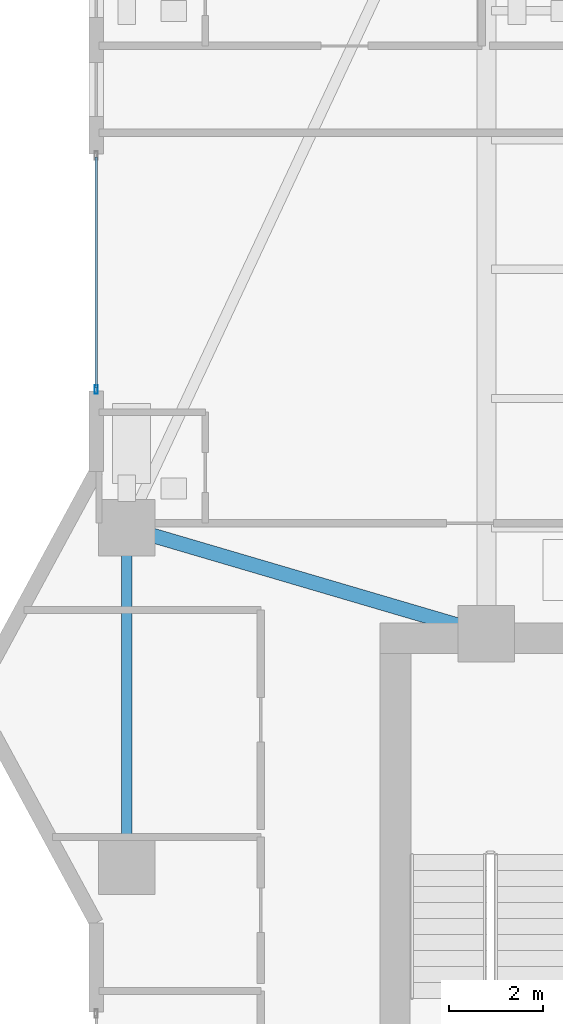
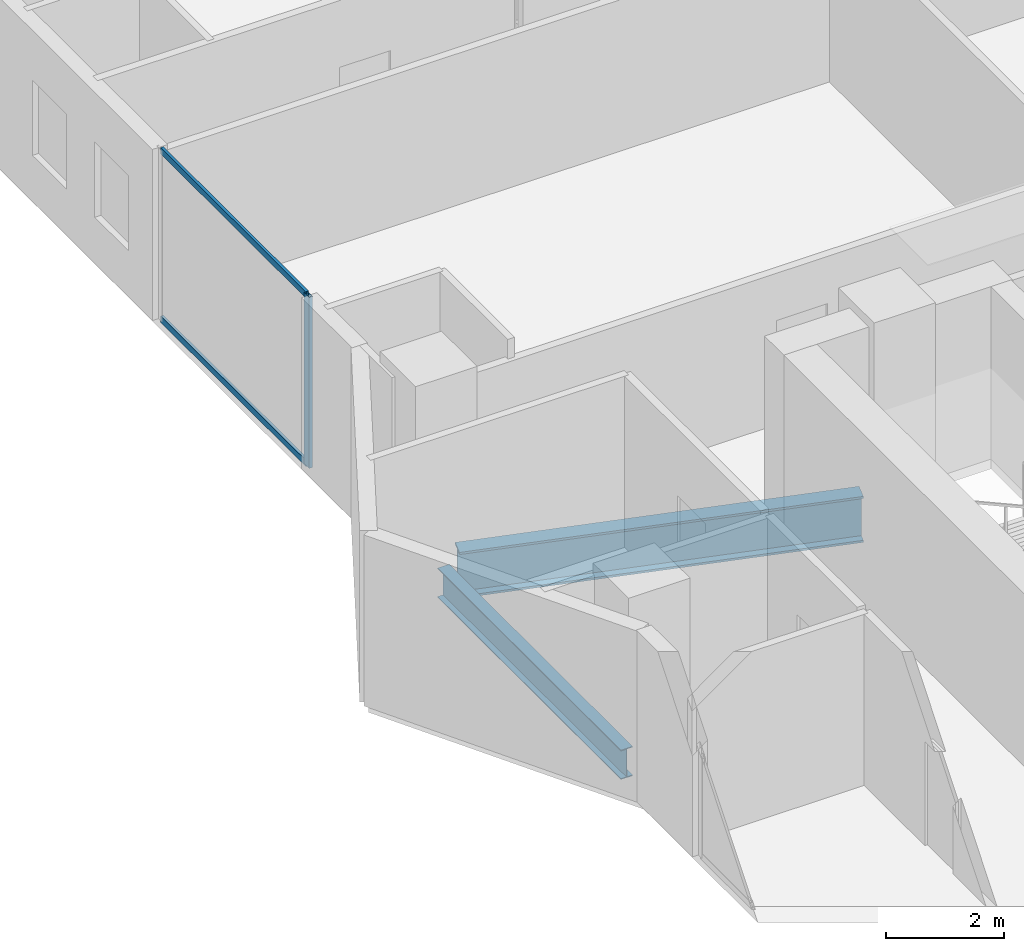
# One storey, part 7 of 32: 3 members, 2 beams, 1 element without a shape of its own.
"""IFC4 building model written with IfcOpenShell, lengths in metres."""

from ifc_helpers import new_model, si_unit, direction, frame, origin, origin_2d, place, context, subcontext, project, spatial, hollow_rectangle, i_section, extrude, material, layer, layer_set, material_profile, profile_set, type_object, element, aggregate, save


model = new_model("IFC4")

# Units and contexts
model_context = context("Model", 3, precision=1e-05, world=origin(), true_north=direction((0.0, 1.0)))
body_context = subcontext(model_context, "Body", "Model", "MODEL_VIEW")
ifc_project = project(units=[si_unit("LENGTHUNIT", "METRE"), si_unit("AREAUNIT", "SQUARE_METRE"), si_unit("VOLUMEUNIT", "CUBIC_METRE"), si_unit("PLANEANGLEUNIT", "RADIAN"), si_unit("MASSUNIT", "GRAM", prefix="KILO")], contexts=[model_context])

# Site, building, storey
site_placement = place(None, origin())
site = spatial("IfcSite", under=ifc_project, at=site_placement, CompositionType="ELEMENT")
building_placement = place(site_placement, origin())
building = spatial("IfcBuilding", under=site, at=building_placement, Name="Zuhayl Quay Hotel", CompositionType="ELEMENT")
storey_placement = place(building_placement, frame((0.0, 0.0, 188.64990234375)))
storey = spatial("IfcBuildingStorey", under=building, at=storey_placement, Name="L47", CompositionType="ELEMENT", Elevation=188.64990234375)

# Beams
ifc_material_1 = material(Name="Steel ASTM A992 Grade 50", Category="steel")
ifc_material_profile_1 = material_profile(ifc_material_1, i_section(OverallWidth=0.22802734375, OverallDepth=0.60693359375, WebThickness=0.01123046875, FlangeThickness=0.017333984375, at=origin_2d()), Name="W24X76")
ifc_profile_set_1 = profile_set([ifc_material_profile_1], Name="Steel ASTM A992 Grade 50")
beam_type_1 = type_object("IfcBeamType", Name="BM_B3_W24X76", PredefinedType="BEAM", material=ifc_profile_set_1)
beam_1_placement = place(storey_placement, frame((-21.449951171875, 16.10009765625, -0.5234375), z_axis=(0.0, -1.0, 0.0), x_axis=(1.0, 0.0, 0.0)))
element("IfcBeam", 1, at=beam_1_placement, inside=storey, type_object=beam_type_1, Name="L47 Floor Beam RG_L47_11", PredefinedType="BEAM", context=body_context, shape_type="SweptSolid", body=[
    extrude(i_section(OverallWidth=0.22802734375, OverallDepth=0.60693359375, WebThickness=0.01123046875, FlangeThickness=0.017333984375, at=origin_2d()), origin(), (0.0, 0.0, 1.0), 6.2001953125),
])
ifc_material_profile_2 = material_profile(ifc_material_1, i_section(OverallWidth=0.31005859375, OverallDepth=0.949951171875, WebThickness=0.0244140625, FlangeThickness=0.0439453125, at=origin_2d()), Name="W36X256")
ifc_profile_set_2 = profile_set([ifc_material_profile_2], Name="Steel ASTM A992 Grade 50")
beam_type_2 = type_object("IfcBeamType", Name="BM_PG1_W36X256", PredefinedType="BEAM", material=ifc_profile_set_2)
beam_2_placement = place(storey_placement, frame((-20.97021484375, 16.458984375, -0.69482421875), z_axis=(0.959364948093, -0.282168205812, 0.0), x_axis=(0.282168205812, 0.959364948093, 0.0)))
element("IfcBeam", 2, at=beam_2_placement, inside=storey, type_object=beam_type_2, Name="L47 Floor Beam FG_W_L47_2", PredefinedType="BEAM", context=body_context, shape_type="SweptSolid", body=[
    extrude(i_section(OverallWidth=0.31005859375, OverallDepth=0.949951171875, WebThickness=0.0244140625, FlangeThickness=0.0439453125, at=origin_2d()), origin(), (0.0, 0.0, 1.0), 7.02392578125),
])

# Curtain wall, members
ifc_material_2 = material(Name="Anodised Aluminium 6063-T6", Category="aluminium")
ifc_layer = layer(ifc_material_2, 0.175048828125, Name="Anodised Aluminium 6063-T6", Category="aluminium")
ifc_layer_set = layer_set([ifc_layer], Name="Anodised Aluminium 6063-T6")
curtain_wall_type = type_object("IfcCurtainWallType", Name="CW_SYS_Z3", PredefinedType="USERDEFINED", material=ifc_layer_set)
curtain_wall_placement = place(storey_placement, origin())
curtain_wall = element("IfcCurtainWall", 3, at=curtain_wall_placement, inside=storey, type_object=curtain_wall_type, Name="L47 Curtain Wall ENV_L47_E05_CW1", ObjectType="UNITISED CURTAIN WALL", PredefinedType="USERDEFINED")
ifc_material_3 = material(Name="Black-anodised aluminium 6063-T6", Category="aluminium")
ifc_material_profile_3 = material_profile(ifc_material_3, hollow_rectangle(XDim=0.06494140625, YDim=0.179931640625, WallThickness=0.00341796875, at=origin_2d()), Name="ALU180X65")
ifc_profile_set_3 = profile_set([ifc_material_profile_3], Name="Black-anodised aluminium 6063-T6")
member_type_1 = type_object("IfcMemberType", Name="MB_CW_MUL_180", PredefinedType="MULLION", material=ifc_profile_set_3)
member_1_placement = place(storey_placement, frame((-22.10009765625, 19.54248046875, 0.0), z_axis=(0.0, 0.0, 1.0), x_axis=(-1.0, 0.0, 0.0)))
member_1 = element("IfcMember", 4, at=member_1_placement, type_object=member_type_1, Name="CW-Z3 mullion 1", PredefinedType="MULLION", context=body_context, shape_type="SweptSolid", body=[
    extrude(hollow_rectangle(XDim=0.06494140625, YDim=0.179931640625, WallThickness=0.00341796875, at=origin_2d()), origin(), (0.0, 0.0, 1.0), 3.530029296875),
])
ifc_material_profile_4 = material_profile(ifc_material_3, hollow_rectangle(XDim=0.054931640625, YDim=0.1298828125, WallThickness=0.0029296875, at=origin_2d()), Name="ALU130X55")
ifc_profile_set_4 = profile_set([ifc_material_profile_4], Name="Black-anodised aluminium 6063-T6")
member_type_2 = type_object("IfcMemberType", Name="MB_CW_TRN_130", PredefinedType="USERDEFINED", material=ifc_profile_set_4)
member_2_placement = place(storey_placement, frame((-22.10009765625, 19.574951171875, 0.027587890625), z_axis=(0.0, 1.0, 0.0), x_axis=(-1.0, 0.0, 0.0)))
member_2 = element("IfcMember", 5, at=member_2_placement, type_object=member_type_2, Name="CW-Z3 transom 1.1", ObjectType="TRANSOM", PredefinedType="USERDEFINED", context=body_context, shape_type="SweptSolid", body=[
    extrude(hollow_rectangle(XDim=0.054931640625, YDim=0.1298828125, WallThickness=0.0029296875, at=origin_2d()), origin(), (0.0, 0.0, 1.0), 4.91015625),
])
member_3_placement = place(storey_placement, frame((-22.10009765625, 19.574951171875, 3.502685546875), z_axis=(0.0, 1.0, 0.0), x_axis=(-1.0, 0.0, 0.0)))
member_3 = element("IfcMember", 6, at=member_3_placement, type_object=member_type_2, Name="CW-Z3 transom 1.2", ObjectType="TRANSOM", PredefinedType="USERDEFINED", context=body_context, shape_type="SweptSolid", body=[
    extrude(hollow_rectangle(XDim=0.054931640625, YDim=0.1298828125, WallThickness=0.0029296875, at=origin_2d()), origin(), (0.0, 0.0, 1.0), 4.91015625),
])
aggregate(curtain_wall, [member_1, member_2, member_3])

save(model, "model.ifc")
